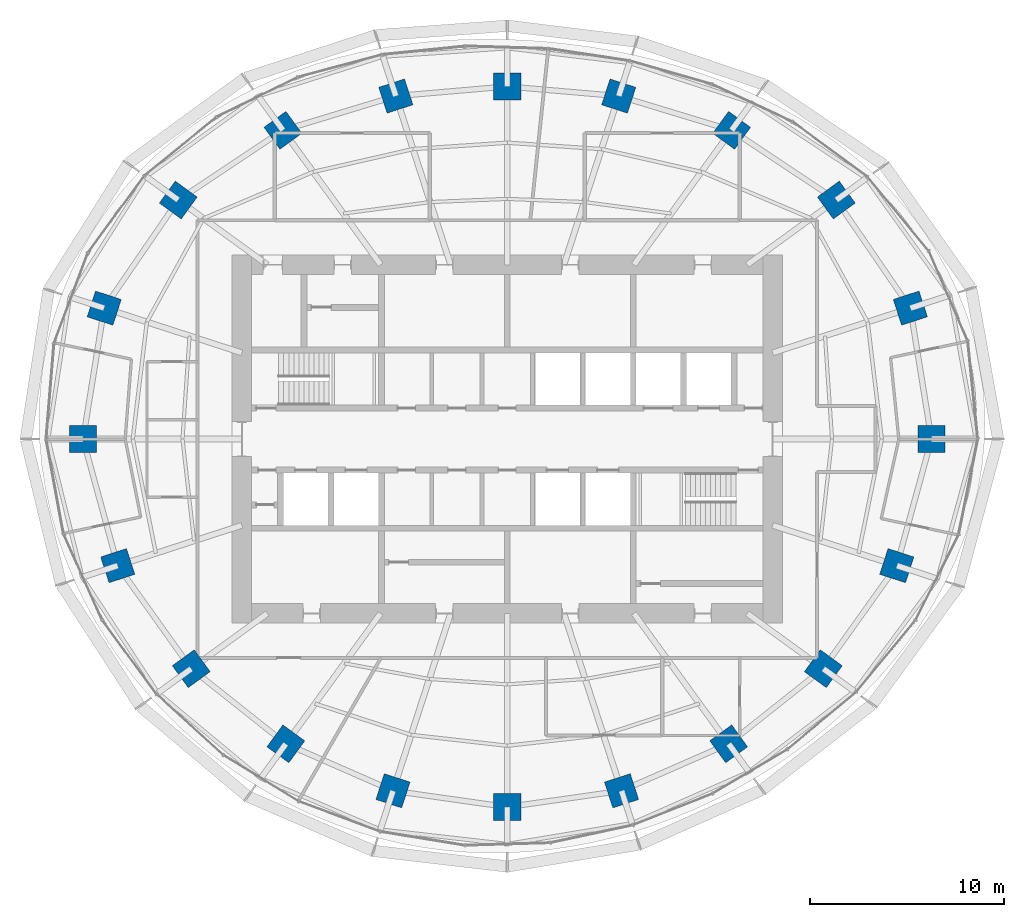
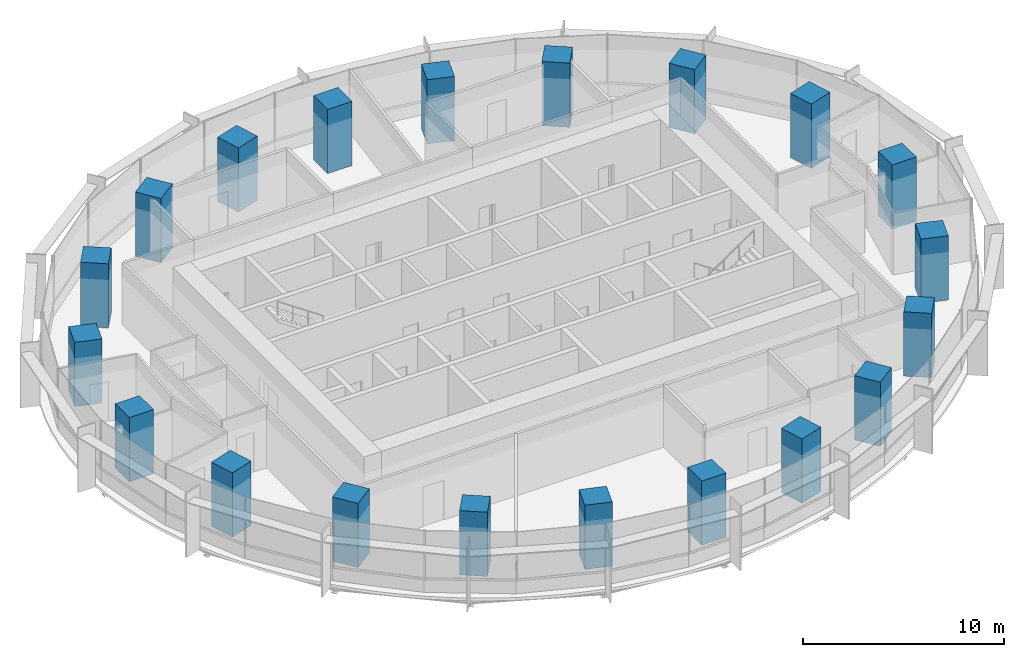
# One storey, part 1 of 14: 20 columns.
"""IFC4 building model written with IfcOpenShell, lengths in metres."""

from ifc_helpers import new_model, si_unit, direction, frame, origin, origin_2d, place, context, subcontext, project, spatial, rectangle, extrude, material, material_profile, profile_set, type_object, element, save


model = new_model("IFC4")

# Units and contexts
model_context = context("Model", 3, precision=1e-05, world=origin(), true_north=direction((0.0, 1.0)))
body_context = subcontext(model_context, "Body", "Model", "MODEL_VIEW")
ifc_project = project(units=[si_unit("LENGTHUNIT", "METRE"), si_unit("AREAUNIT", "SQUARE_METRE"), si_unit("VOLUMEUNIT", "CUBIC_METRE"), si_unit("PLANEANGLEUNIT", "RADIAN"), si_unit("MASSUNIT", "GRAM", prefix="KILO")], contexts=[model_context])

# Site, building, storey
site_placement = place(None, origin())
site = spatial("IfcSite", under=ifc_project, at=site_placement, CompositionType="ELEMENT")
building_placement = place(site_placement, origin())
building = spatial("IfcBuilding", under=site, at=building_placement, Name="Marramba Exchange Tower", CompositionType="ELEMENT")
storey_placement = place(building_placement, frame((0.0, 0.0, 183.800048828125)))
storey = spatial("IfcBuildingStorey", under=building, at=storey_placement, Name="L44", CompositionType="ELEMENT", Elevation=183.800048828125)

# Columns
ifc_material = material(Name="Concrete N50", Category="concrete")
ifc_material_profile = material_profile(ifc_material, rectangle(XDim=1.39990234375, YDim=1.39990234375, at=origin_2d()), Name="RC 1400x1400")
ifc_profile_set = profile_set([ifc_material_profile], Name="Concrete N50")
column_type = type_object("IfcColumnType", Name="Perimeter column RC 1400x1400 N50", PredefinedType="COLUMN", material=ifc_profile_set)
for number, where, z_axis, x_axis, name in (
    (1, (21.89990234375, 0.0, 0.0), (0.0, 0.0, 1.0), (1.0, 0.0, 0.0), "Column TC01 L44"),
    (2, (20.808349609375, 6.760986328125, 0.0), (0.0, 0.0, 1.0), (0.951056516295, 0.309016994375, 0.0), "Column TC02 L44"),
    (3, (16.98583984375, 12.3408203125, 0.0), (0.0, 0.0, 1.0), (0.809016994375, 0.587785252292, 0.0), "Column TC03 L44"),
    (4, (11.581298828125, 15.9404296875, 0.0), (0.0, 0.0, 1.0), (0.587785252292, 0.809016994375, 0.0), "Column TC04 L44"),
    (5, (5.75390625, 17.70849609375, 0.0), (0.0, 0.0, 1.0), (0.309016994375, 0.951056516295, 0.0), "Column TC05 L44"),
    (6, (0.0, 18.2041015625, 0.0), (0.0, 0.0, 1.0), (0.0, 1.0, 0.0), "Column TC06 L44"),
    (7, (-5.75390625, 17.70849609375, 0.0), (0.0, 0.0, 1.0), (-0.309016994375, 0.951056516295, 0.0), "Column TC07 L44"),
    (8, (-11.581298828125, 15.9404296875, 0.0), (0.0, 0.0, 1.0), (-0.587785252292, 0.809016994375, 0.0), "Column TC08 L44"),
    (9, (-16.98583984375, 12.3408203125, 0.0), (0.0, 0.0, 1.0), (-0.809016994375, 0.587785252292, 0.0), "Column TC09 L44"),
    (10, (-20.808349609375, 6.760986328125, 0.0), (0.0, 0.0, 1.0), (-0.951056516295, 0.309016994375, 0.0), "Column TC10 L44"),
    (11, (-21.89990234375, 0.0, 0.0), (0.0, 0.0, 1.0), (-1.0, 0.0, 0.0), "Column TC11 L44"),
    (12, (-20.109375, -6.533935546875, 0.0), (0.0, 0.0, 1.0), (-0.951056516295, -0.309016994375, 0.0), "Column TC12 L44"),
    (13, (-16.3154296875, -11.853759765625, 0.0), (0.0, 0.0, 1.0), (-0.809016994375, -0.587785252292, 0.0), "Column TC13 L44"),
    (14, (-11.430419921875, -15.732666015625, 0.0), (0.0, 0.0, 1.0), (-0.587785252292, -0.809016994375, 0.0), "Column TC14 L44"),
    (15, (-5.899658203125, -18.156982421875, 0.0), (0.0, 0.0, 1.0), (-0.309016994375, -0.951056516295, 0.0), "Column TC15 L44"),
    (16, (0.0, -18.99609375, 0.0), (0.0, 0.0, 1.0), (0.0, -1.0, 0.0), "Column TC16 L44"),
    (17, (5.899658203125, -18.156982421875, 0.0), (0.0, 0.0, 1.0), (0.309016994375, -0.951056516295, 0.0), "Column TC17 L44"),
    (18, (11.430419921875, -15.732666015625, 0.0), (0.0, 0.0, 1.0), (0.587785252292, -0.809016994375, 0.0), "Column TC18 L44"),
    (19, (16.3154296875, -11.853759765625, 0.0), (0.0, 0.0, 1.0), (0.809016994375, -0.587785252292, 0.0), "Column TC19 L44"),
    (20, (20.109375, -6.533935546875, 0.0), (0.0, 0.0, 1.0), (0.951056516295, -0.309016994375, 0.0), "Column TC20 L44"),
):
    element("IfcColumn", number, at=place(storey_placement, frame(where, z_axis=z_axis, x_axis=x_axis)), inside=storey, type_object=column_type, Name=name, PredefinedType="COLUMN", context=body_context, shape_type="SweptSolid", body=[
        extrude(rectangle(XDim=1.39990234375, YDim=1.39990234375, at=origin_2d()), origin(), (0.0, 0.0, 1.0), 3.89990234375),
    ])

save(model, "model.ifc")
